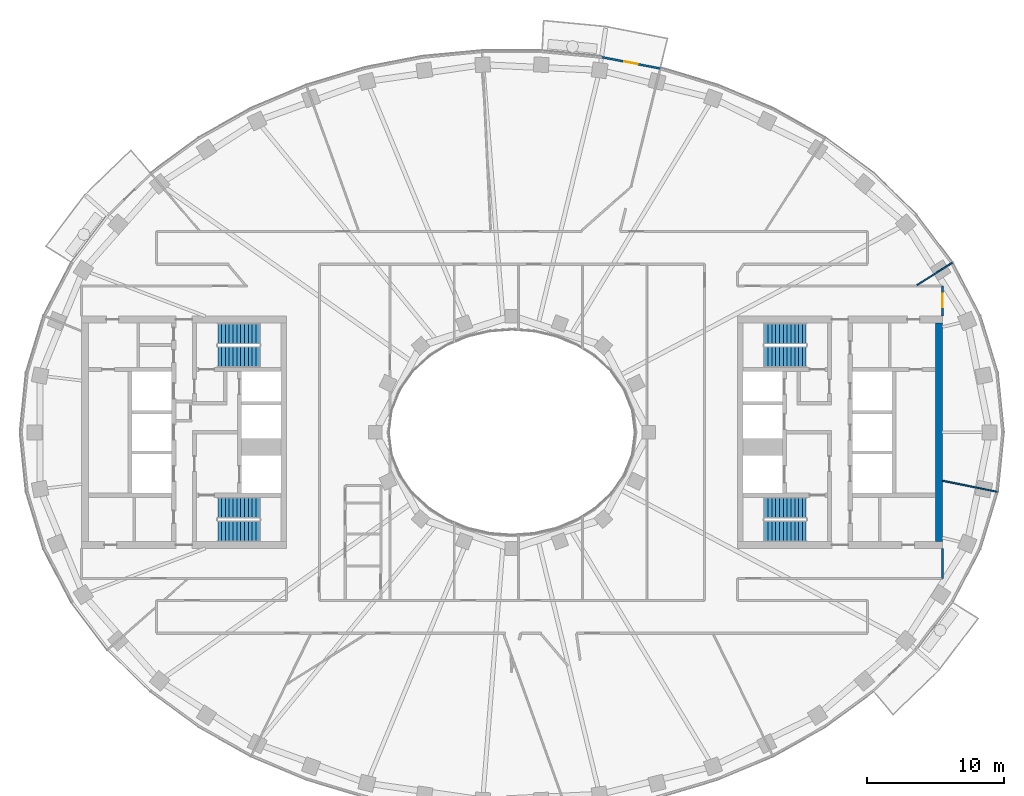
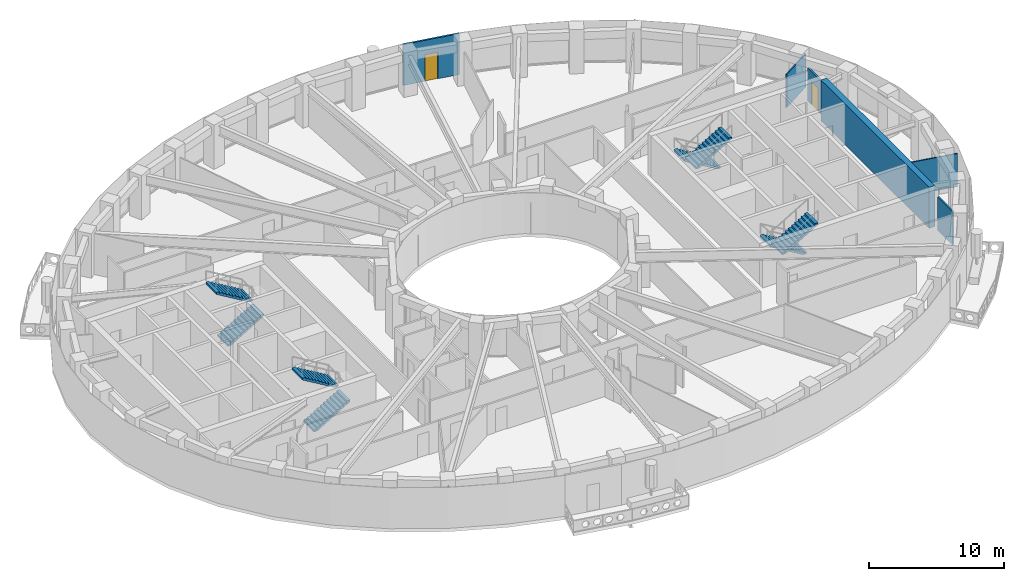
# One storey, part 7 of 16: 8 stair flights, 6 walls, 2 doors, 2 openings, 4 elements without a shape of their own.
"""IFC4 building model written with IfcOpenShell, lengths in metres."""

from ifc_helpers import new_model, si_unit, direction, frame, frame_2d, origin, place, context, subcontext, project, spatial, polyline, rectangle, outline, extrude, material, layer, layer_set, type_object, element, fill, aggregate, save


model = new_model("IFC4")

# Units and contexts
model_context = context("Model", 3, precision=1e-05, world=origin(), true_north=direction((0.0, 1.0)))
body_context = subcontext(model_context, "Body", "Model", "MODEL_VIEW")
ifc_project = project(units=[si_unit("LENGTHUNIT", "METRE"), si_unit("AREAUNIT", "SQUARE_METRE"), si_unit("VOLUMEUNIT", "CUBIC_METRE"), si_unit("PLANEANGLEUNIT", "RADIAN"), si_unit("MASSUNIT", "GRAM", prefix="KILO")], contexts=[model_context])

# Site, building, storey
site_placement = place(None, origin())
site = spatial("IfcSite", under=ifc_project, at=site_placement, CompositionType="ELEMENT")
building_placement = place(site_placement, origin())
building = spatial("IfcBuilding", under=site, at=building_placement, Name="Noorbagh Ring Tower", CompositionType="ELEMENT")
storey_placement = place(building_placement, frame((0.0, 0.0, 249.5)))
storey = spatial("IfcBuildingStorey", under=building, at=storey_placement, Name="L52", CompositionType="ELEMENT", Elevation=249.5)

# Walls
ifc_material_1 = material(Name="Concrete C60/75", Category="concrete")
ifc_layer_1 = layer(ifc_material_1, 0.5)
ifc_layer_set_1 = layer_set([ifc_layer_1], Name="Concrete C60/75")
wall_type_1 = type_object("IfcWallType", Name="CORE-WALL-500-C60-75-EI240", PredefinedType="SHEAR", material=ifc_layer_set_1)
wall_1_placement = place(storey_placement, frame((31.25, -8.0, 0.0), z_axis=(0.0, 0.0, 1.0), x_axis=(0.0, 1.0, 0.0)))
element("IfcWall", 1, at=wall_1_placement, inside=storey, type_object=wall_type_1, Name="Core wall E", PredefinedType="SHEAR", context=body_context, shape_type="SweptSolid", body=[
    extrude(rectangle(XDim=16.0, YDim=0.5, at=frame_2d((8.0, 0.0))), origin(), (0.0, 0.0, 1.0), 3.699951171875),
])
ifc_material_2 = material(Name="Gypsum board on steel studs", Category="steel")
ifc_layer_2 = layer(ifc_material_2, 0.14990234375)
ifc_layer_set_2 = layer_set([ifc_layer_2], Name="Gypsum board on steel studs")
wall_type_2 = type_object("IfcWallType", Name="CORRIDOR PARTITION 150 EI 30", PredefinedType="PARTITIONING", material=ifc_layer_set_2)
wall_2_placement = place(storey_placement, frame((31.5, -10.699951171875, 0.0), z_axis=(0.0, 0.0, 1.0), x_axis=(0.0, 1.0, 0.0)))
element("IfcWall", 2, at=wall_2_placement, inside=storey, type_object=wall_type_2, Name="L52/wall/P71", PredefinedType="PARTITIONING", context=body_context, shape_type="SweptSolid", body=[
    extrude(rectangle(XDim=2.199951171875, YDim=0.14990234375, at=frame_2d((1.10009765625, 0.0))), origin(), (0.0, 0.0, 1.0), 3.0),
])

# Wall, opening, door
wall_3_placement = place(storey_placement, frame((31.5, 8.5, 0.0), z_axis=(0.0, 0.0, 1.0), x_axis=(0.0, 1.0, 0.0)))
wall_3 = element("IfcWall", 3, at=wall_3_placement, inside=storey, type_object=wall_type_2, Name="L52/wall/P73", PredefinedType="PARTITIONING", context=body_context, shape_type="SweptSolid", body=[
    extrude(rectangle(XDim=2.199951171875, YDim=0.14990234375, at=frame_2d((1.10009765625, 0.0))), origin(), (0.0, 0.0, 1.0), 3.0),
])
opening_1_placement = place(wall_3_placement, frame((0.64990234375, 0.0, 0.0)))
opening_1 = element("IfcOpeningElement", 4, at=opening_1_placement, cuts=wall_3, Name="Opening D1", PredefinedType="OPENING", context=body_context, shape_type="SweptSolid", body=[
    extrude(rectangle(XDim=1.0, YDim=2.10009765625, at=frame_2d((0.5, 1.050048828125))), frame((0.0, 0.0849609375, 0.0), z_axis=(0.0, -1.0, 0.0), x_axis=(1.0, 0.0, 0.0)), (0.0, 0.0, 1.0), 0.169921875),
])
ifc_material_3 = material(Name="Timber, painted", Category="wood")
door_type_1 = type_object("IfcDoorType", Name="DOOR 1000 X 2100 FD30", OperationType="SINGLE_SWING_LEFT", PredefinedType="DOOR", material=ifc_material_3)
door_1_placement = place(opening_1_placement, origin())
door_1 = element("IfcDoor", 5, at=door_1_placement, inside=storey, type_object=door_type_1, Name="L52-D19", OperationType="SINGLE_SWING_LEFT", OverallHeight=2.10009765625, OverallWidth=1.0, PredefinedType="DOOR", context=body_context, shape_type="SweptSolid", body=[
    extrude(rectangle(XDim=1.0, YDim=2.10009765625, at=frame_2d((0.5, 1.050048828125))), frame((0.0, 0.02490234375, 0.0), z_axis=(0.0, -1.0, 0.0), x_axis=(1.0, 0.0, 0.0)), (0.0, 0.0, 1.0), 0.050048828125),
])
fill(opening_1, door_1)

ifc_material_4 = material(Name="Insulated aluminium clad panel", Category="aluminium")
ifc_layer_3 = layer(ifc_material_4, 0.14990234375)
ifc_layer_set_3 = layer_set([ifc_layer_3], Name="Insulated aluminium clad panel")
wall_type_3 = type_object("IfcWallType", Name="ENV-WALL-DOOR", PredefinedType="STANDARD", material=ifc_layer_set_3)
wall_4_placement = place(storey_placement, frame((10.87060546875, 26.616943359375, 0.0), z_axis=(0.0, 0.0, 1.0), x_axis=(-0.981631174778, 0.190788460615, 0.0)))
wall_4 = element("IfcWall", 6, at=wall_4_placement, inside=storey, type_object=wall_type_3, Name="Balcony door wall chord 10", PredefinedType="STANDARD", context=body_context, shape_type="SweptSolid", body=[
    extrude(rectangle(XDim=4.42626953125, YDim=0.14990234375, at=frame_2d((2.213134765625, 0.0))), origin(), (0.0, 0.0, 1.0), 3.699951171875),
])
opening_2_placement = place(wall_4_placement, frame((1.713134765625, 0.0, 0.0)))
opening_2 = element("IfcOpeningElement", 7, at=opening_2_placement, cuts=wall_4, Name="Opening D-BL", PredefinedType="OPENING", context=body_context, shape_type="SweptSolid", body=[
    extrude(rectangle(XDim=1.0, YDim=2.39990234375, at=frame_2d((0.5, 1.199951171875))), frame((0.0, 0.0849609375, 0.0), z_axis=(0.0, -1.0, 0.0), x_axis=(1.0, 0.0, 0.0)), (0.0, 0.0, 1.0), 0.169921875),
])
ifc_material_5 = material(Name="Aluminium and glass", Category="aluminium")
door_type_2 = type_object("IfcDoorType", Name="ENV-DOOR-BALCONY", OperationType="SINGLE_SWING_LEFT", PredefinedType="DOOR", material=ifc_material_5)
door_2_placement = place(opening_2_placement, origin())
door_2 = element("IfcDoor", 8, at=door_2_placement, inside=storey, type_object=door_type_2, Name="Balcony door chord 10", OperationType="SINGLE_SWING_LEFT", OverallHeight=2.39990234375, OverallWidth=1.0, PredefinedType="DOOR", context=body_context, shape_type="SweptSolid", body=[
    extrude(rectangle(XDim=1.0, YDim=2.39990234375, at=frame_2d((0.5, 1.199951171875))), frame((0.0, 0.02490234375, 0.0), z_axis=(0.0, -1.0, 0.0), x_axis=(1.0, 0.0, 0.0)), (0.0, 0.0, 1.0), 0.050048828125),
])
fill(opening_2, door_2)

# Walls
ifc_material_6 = material(Name="Gypsum board on steel studs", Category="steel")
ifc_layer_4 = layer(ifc_material_6, 0.10009765625)
ifc_layer_set_4 = layer_set([ifc_layer_4], Name="Gypsum board on steel studs")
wall_type_4 = type_object("IfcWallType", Name="PARTITION 100 GYPSUM", PredefinedType="PARTITIONING", material=ifc_layer_set_4)
wall_5_placement = place(storey_placement, frame((29.636962890625, 10.777099609375, 0.0), z_axis=(0.0, 0.0, 1.0), x_axis=(0.844810627195, 0.535065420467, 0.0)))
element("IfcWall", 9, at=wall_5_placement, inside=storey, type_object=wall_type_4, Name="L52/wall/P70", PredefinedType="PARTITIONING", context=body_context, shape_type="SweptSolid", body=[
    extrude(rectangle(XDim=3.0478515625, YDim=0.10009765625, at=frame_2d((1.52392578125, 0.0))), origin(), (0.0, 0.0, 1.0), 3.0),
])
wall_6_placement = place(storey_placement, frame((31.5, -3.5419921875, 0.0), z_axis=(0.0, 0.0, 1.0), x_axis=(0.980357474535, -0.197228857227, 0.0)))
element("IfcWall", 10, at=wall_6_placement, inside=storey, type_object=wall_type_4, Name="L52/wall/P72", PredefinedType="PARTITIONING", context=body_context, shape_type="SweptSolid", body=[
    extrude(rectangle(XDim=4.09228515625, YDim=0.10009765625, at=frame_2d((2.046142578125, 0.0))), origin(), (0.0, 0.0, 1.0), 3.0),
])

# Stair, stair flights
ifc_material_7 = material(Name="Concrete C40/50", Category="concrete")
stair_type = type_object("IfcStairType", Name="CORE-STAIR", PredefinedType="HALF_TURN_STAIR", material=ifc_material_7)
stair_1_placement = place(storey_placement, origin())
stair_1 = element("IfcStair", 11, at=stair_1_placement, inside=storey, type_object=stair_type, Name="L52 Exit stair ST1", PredefinedType="HALF_TURN_STAIR")
ifc_material_8 = material(Name="Concrete C40/50", Category="concrete")
stair_flight_type = type_object("IfcStairFlightType", Name="CORE-STAIR-FLIGHT", PredefinedType="STRAIGHT", material=ifc_material_8)
stair_flight_1_placement = place(storey_placement, frame((-21.530029296875, 5.52490234375, 0.0), z_axis=(0.0, 0.0, 1.0), x_axis=(1.0, 0.0, 0.0)))
stair_flight_1 = element("IfcStairFlight", 12, at=stair_flight_1_placement, type_object=stair_flight_type, Name="ST1 flight 1", NumberOfRisers=12, NumberOfTreads=11, PredefinedType="STRAIGHT", RiserHeight=0.166666667, TreadLength=0.28, context=body_context, shape_type="SweptSolid", body=[
    extrude(outline(polyline([(0.0, 0.0), (0.0, 0.166748046875), (0.280029296875, 0.166748046875), (0.280029296875, 0.333251953125), (0.56005859375, 0.333251953125), (0.56005859375, 0.5), (0.840087890625, 0.5), (0.840087890625, 0.666748046875), (1.1201171875, 0.666748046875), (1.1201171875, 0.833251953125), (1.39990234375, 0.833251953125), (1.39990234375, 1.0), (1.679931640625, 1.0), (1.679931640625, 1.166748046875), (1.9599609375, 1.166748046875), (1.9599609375, 1.333251953125), (2.239990234375, 1.333251953125), (2.239990234375, 1.5), (2.52001953125, 1.5), (2.52001953125, 1.666748046875), (2.800048828125, 1.666748046875), (2.800048828125, 1.833251953125), (3.080078125, 1.833251953125), (3.080078125, 2.0), (3.080078125, 1.658935546875), (0.29296875, 0.0), (0.0, 0.0)])), frame((0.0, 0.77490234375, 0.0), z_axis=(0.0, -1.0, 0.0), x_axis=(1.0, 0.0, 0.0)), (0.0, 0.0, 1.0), 1.550048828125),
])
stair_flight_2_placement = place(storey_placement, frame((-18.449951171875, 7.22509765625, 2.0), z_axis=(0.0, 0.0, 1.0), x_axis=(-1.0, 0.0, 0.0)))
stair_flight_2 = element("IfcStairFlight", 13, at=stair_flight_2_placement, type_object=stair_flight_type, Name="ST1 flight 2", NumberOfRisers=12, NumberOfTreads=11, PredefinedType="STRAIGHT", RiserHeight=0.166666667, TreadLength=0.28, context=body_context, shape_type="SweptSolid", body=[
    extrude(outline(polyline([(0.0, 0.0), (0.0, 0.166748046875), (0.280029296875, 0.166748046875), (0.280029296875, 0.333251953125), (0.56005859375, 0.333251953125), (0.56005859375, 0.5), (0.840087890625, 0.5), (0.840087890625, 0.666748046875), (1.1201171875, 0.666748046875), (1.1201171875, 0.833251953125), (1.39990234375, 0.833251953125), (1.39990234375, 1.0), (1.679931640625, 1.0), (1.679931640625, 1.166748046875), (1.9599609375, 1.166748046875), (1.9599609375, 1.333251953125), (2.239990234375, 1.333251953125), (2.239990234375, 1.5), (2.52001953125, 1.5), (2.52001953125, 1.666748046875), (2.800048828125, 1.666748046875), (2.800048828125, 1.833251953125), (3.080078125, 1.833251953125), (3.080078125, 2.0), (3.080078125, 1.658935546875), (0.29296875, 0.0), (0.0, 0.0)])), frame((0.0, 0.77490234375, 0.0), z_axis=(0.0, -1.0, 0.0), x_axis=(1.0, 0.0, 0.0)), (0.0, 0.0, 1.0), 1.550048828125),
])
aggregate(stair_1, [stair_flight_1, stair_flight_2])

stair_2_placement = place(storey_placement, origin())
stair_2 = element("IfcStair", 14, at=stair_2_placement, inside=storey, type_object=stair_type, Name="L52 Exit stair ST2", PredefinedType="HALF_TURN_STAIR")
stair_flight_3_placement = place(storey_placement, frame((-21.530029296875, -7.22509765625, 0.0), z_axis=(0.0, 0.0, 1.0), x_axis=(1.0, 0.0, 0.0)))
stair_flight_3 = element("IfcStairFlight", 15, at=stair_flight_3_placement, type_object=stair_flight_type, Name="ST2 flight 1", NumberOfRisers=12, NumberOfTreads=11, PredefinedType="STRAIGHT", RiserHeight=0.166666667, TreadLength=0.28, context=body_context, shape_type="SweptSolid", body=[
    extrude(outline(polyline([(0.0, 0.0), (0.0, 0.166748046875), (0.280029296875, 0.166748046875), (0.280029296875, 0.333251953125), (0.56005859375, 0.333251953125), (0.56005859375, 0.5), (0.840087890625, 0.5), (0.840087890625, 0.666748046875), (1.1201171875, 0.666748046875), (1.1201171875, 0.833251953125), (1.39990234375, 0.833251953125), (1.39990234375, 1.0), (1.679931640625, 1.0), (1.679931640625, 1.166748046875), (1.9599609375, 1.166748046875), (1.9599609375, 1.333251953125), (2.239990234375, 1.333251953125), (2.239990234375, 1.5), (2.52001953125, 1.5), (2.52001953125, 1.666748046875), (2.800048828125, 1.666748046875), (2.800048828125, 1.833251953125), (3.080078125, 1.833251953125), (3.080078125, 2.0), (3.080078125, 1.658935546875), (0.29296875, 0.0), (0.0, 0.0)])), frame((0.0, 0.77490234375, 0.0), z_axis=(0.0, -1.0, 0.0), x_axis=(1.0, 0.0, 0.0)), (0.0, 0.0, 1.0), 1.550048828125),
])
stair_flight_4_placement = place(storey_placement, frame((-18.449951171875, -5.52490234375, 2.0), z_axis=(0.0, 0.0, 1.0), x_axis=(-1.0, 0.0, 0.0)))
stair_flight_4 = element("IfcStairFlight", 16, at=stair_flight_4_placement, type_object=stair_flight_type, Name="ST2 flight 2", NumberOfRisers=12, NumberOfTreads=11, PredefinedType="STRAIGHT", RiserHeight=0.166666667, TreadLength=0.28, context=body_context, shape_type="SweptSolid", body=[
    extrude(outline(polyline([(0.0, 0.0), (0.0, 0.166748046875), (0.280029296875, 0.166748046875), (0.280029296875, 0.333251953125), (0.56005859375, 0.333251953125), (0.56005859375, 0.5), (0.840087890625, 0.5), (0.840087890625, 0.666748046875), (1.1201171875, 0.666748046875), (1.1201171875, 0.833251953125), (1.39990234375, 0.833251953125), (1.39990234375, 1.0), (1.679931640625, 1.0), (1.679931640625, 1.166748046875), (1.9599609375, 1.166748046875), (1.9599609375, 1.333251953125), (2.239990234375, 1.333251953125), (2.239990234375, 1.5), (2.52001953125, 1.5), (2.52001953125, 1.666748046875), (2.800048828125, 1.666748046875), (2.800048828125, 1.833251953125), (3.080078125, 1.833251953125), (3.080078125, 2.0), (3.080078125, 1.658935546875), (0.29296875, 0.0), (0.0, 0.0)])), frame((0.0, 0.77490234375, 0.0), z_axis=(0.0, -1.0, 0.0), x_axis=(1.0, 0.0, 0.0)), (0.0, 0.0, 1.0), 1.550048828125),
])
aggregate(stair_2, [stair_flight_3, stair_flight_4])

stair_3_placement = place(storey_placement, origin())
stair_3 = element("IfcStair", 17, at=stair_3_placement, inside=storey, type_object=stair_type, Name="L52 Exit stair ST3", PredefinedType="HALF_TURN_STAIR")
stair_flight_5_placement = place(storey_placement, frame((21.530029296875, 7.22509765625, 0.0), z_axis=(0.0, 0.0, 1.0), x_axis=(-1.0, 0.0, 0.0)))
stair_flight_5 = element("IfcStairFlight", 18, at=stair_flight_5_placement, type_object=stair_flight_type, Name="ST3 flight 1", NumberOfRisers=12, NumberOfTreads=11, PredefinedType="STRAIGHT", RiserHeight=0.166666667, TreadLength=0.28, context=body_context, shape_type="SweptSolid", body=[
    extrude(outline(polyline([(0.0, 0.0), (0.0, 0.166748046875), (0.280029296875, 0.166748046875), (0.280029296875, 0.333251953125), (0.56005859375, 0.333251953125), (0.56005859375, 0.5), (0.840087890625, 0.5), (0.840087890625, 0.666748046875), (1.1201171875, 0.666748046875), (1.1201171875, 0.833251953125), (1.39990234375, 0.833251953125), (1.39990234375, 1.0), (1.679931640625, 1.0), (1.679931640625, 1.166748046875), (1.9599609375, 1.166748046875), (1.9599609375, 1.333251953125), (2.239990234375, 1.333251953125), (2.239990234375, 1.5), (2.52001953125, 1.5), (2.52001953125, 1.666748046875), (2.800048828125, 1.666748046875), (2.800048828125, 1.833251953125), (3.080078125, 1.833251953125), (3.080078125, 2.0), (3.080078125, 1.658935546875), (0.29296875, 0.0), (0.0, 0.0)])), frame((0.0, 0.77490234375, 0.0), z_axis=(0.0, -1.0, 0.0), x_axis=(1.0, 0.0, 0.0)), (0.0, 0.0, 1.0), 1.550048828125),
])
stair_flight_6_placement = place(storey_placement, frame((18.449951171875, 5.52490234375, 2.0), z_axis=(0.0, 0.0, 1.0), x_axis=(1.0, 0.0, 0.0)))
stair_flight_6 = element("IfcStairFlight", 19, at=stair_flight_6_placement, type_object=stair_flight_type, Name="ST3 flight 2", NumberOfRisers=12, NumberOfTreads=11, PredefinedType="STRAIGHT", RiserHeight=0.166666667, TreadLength=0.28, context=body_context, shape_type="SweptSolid", body=[
    extrude(outline(polyline([(0.0, 0.0), (0.0, 0.166748046875), (0.280029296875, 0.166748046875), (0.280029296875, 0.333251953125), (0.56005859375, 0.333251953125), (0.56005859375, 0.5), (0.840087890625, 0.5), (0.840087890625, 0.666748046875), (1.1201171875, 0.666748046875), (1.1201171875, 0.833251953125), (1.39990234375, 0.833251953125), (1.39990234375, 1.0), (1.679931640625, 1.0), (1.679931640625, 1.166748046875), (1.9599609375, 1.166748046875), (1.9599609375, 1.333251953125), (2.239990234375, 1.333251953125), (2.239990234375, 1.5), (2.52001953125, 1.5), (2.52001953125, 1.666748046875), (2.800048828125, 1.666748046875), (2.800048828125, 1.833251953125), (3.080078125, 1.833251953125), (3.080078125, 2.0), (3.080078125, 1.658935546875), (0.29296875, 0.0), (0.0, 0.0)])), frame((0.0, 0.77490234375, 0.0), z_axis=(0.0, -1.0, 0.0), x_axis=(1.0, 0.0, 0.0)), (0.0, 0.0, 1.0), 1.550048828125),
])
aggregate(stair_3, [stair_flight_5, stair_flight_6])

stair_4_placement = place(storey_placement, origin())
stair_4 = element("IfcStair", 20, at=stair_4_placement, inside=storey, type_object=stair_type, Name="L52 Exit stair ST4", PredefinedType="HALF_TURN_STAIR")
stair_flight_7_placement = place(storey_placement, frame((21.530029296875, -5.52490234375, 0.0), z_axis=(0.0, 0.0, 1.0), x_axis=(-1.0, 0.0, 0.0)))
stair_flight_7 = element("IfcStairFlight", 21, at=stair_flight_7_placement, type_object=stair_flight_type, Name="ST4 flight 1", NumberOfRisers=12, NumberOfTreads=11, PredefinedType="STRAIGHT", RiserHeight=0.166666667, TreadLength=0.28, context=body_context, shape_type="SweptSolid", body=[
    extrude(outline(polyline([(0.0, 0.0), (0.0, 0.166748046875), (0.280029296875, 0.166748046875), (0.280029296875, 0.333251953125), (0.56005859375, 0.333251953125), (0.56005859375, 0.5), (0.840087890625, 0.5), (0.840087890625, 0.666748046875), (1.1201171875, 0.666748046875), (1.1201171875, 0.833251953125), (1.39990234375, 0.833251953125), (1.39990234375, 1.0), (1.679931640625, 1.0), (1.679931640625, 1.166748046875), (1.9599609375, 1.166748046875), (1.9599609375, 1.333251953125), (2.239990234375, 1.333251953125), (2.239990234375, 1.5), (2.52001953125, 1.5), (2.52001953125, 1.666748046875), (2.800048828125, 1.666748046875), (2.800048828125, 1.833251953125), (3.080078125, 1.833251953125), (3.080078125, 2.0), (3.080078125, 1.658935546875), (0.29296875, 0.0), (0.0, 0.0)])), frame((0.0, 0.77490234375, 0.0), z_axis=(0.0, -1.0, 0.0), x_axis=(1.0, 0.0, 0.0)), (0.0, 0.0, 1.0), 1.550048828125),
])
stair_flight_8_placement = place(storey_placement, frame((18.449951171875, -7.22509765625, 2.0), z_axis=(0.0, 0.0, 1.0), x_axis=(1.0, 0.0, 0.0)))
stair_flight_8 = element("IfcStairFlight", 22, at=stair_flight_8_placement, type_object=stair_flight_type, Name="ST4 flight 2", NumberOfRisers=12, NumberOfTreads=11, PredefinedType="STRAIGHT", RiserHeight=0.166666667, TreadLength=0.28, context=body_context, shape_type="SweptSolid", body=[
    extrude(outline(polyline([(0.0, 0.0), (0.0, 0.166748046875), (0.280029296875, 0.166748046875), (0.280029296875, 0.333251953125), (0.56005859375, 0.333251953125), (0.56005859375, 0.5), (0.840087890625, 0.5), (0.840087890625, 0.666748046875), (1.1201171875, 0.666748046875), (1.1201171875, 0.833251953125), (1.39990234375, 0.833251953125), (1.39990234375, 1.0), (1.679931640625, 1.0), (1.679931640625, 1.166748046875), (1.9599609375, 1.166748046875), (1.9599609375, 1.333251953125), (2.239990234375, 1.333251953125), (2.239990234375, 1.5), (2.52001953125, 1.5), (2.52001953125, 1.666748046875), (2.800048828125, 1.666748046875), (2.800048828125, 1.833251953125), (3.080078125, 1.833251953125), (3.080078125, 2.0), (3.080078125, 1.658935546875), (0.29296875, 0.0), (0.0, 0.0)])), frame((0.0, 0.77490234375, 0.0), z_axis=(0.0, -1.0, 0.0), x_axis=(1.0, 0.0, 0.0)), (0.0, 0.0, 1.0), 1.550048828125),
])
aggregate(stair_4, [stair_flight_7, stair_flight_8])

save(model, "model.ifc")
